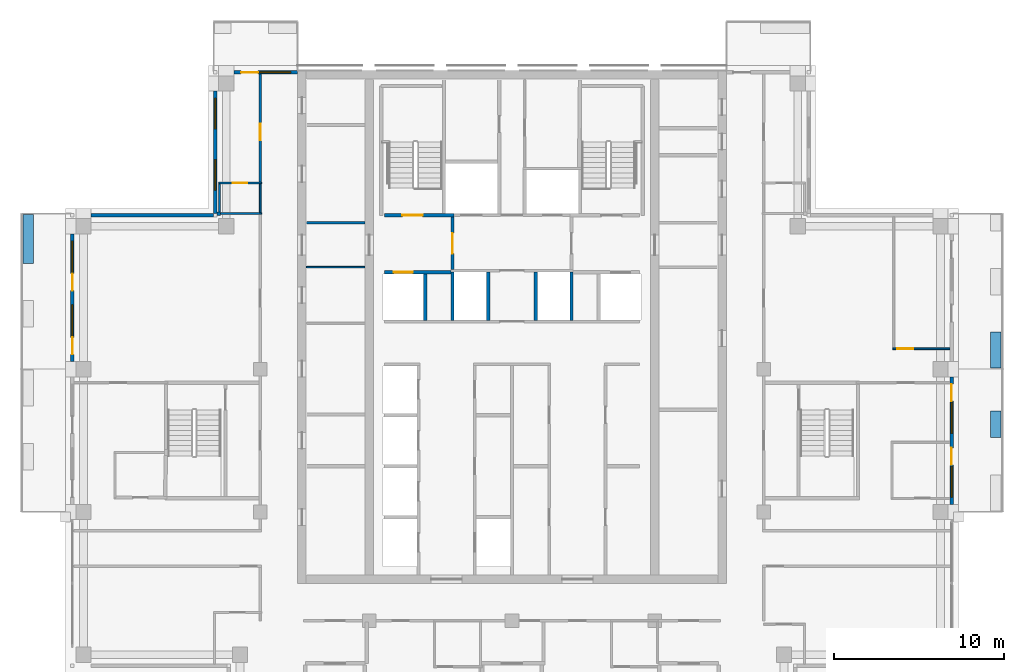
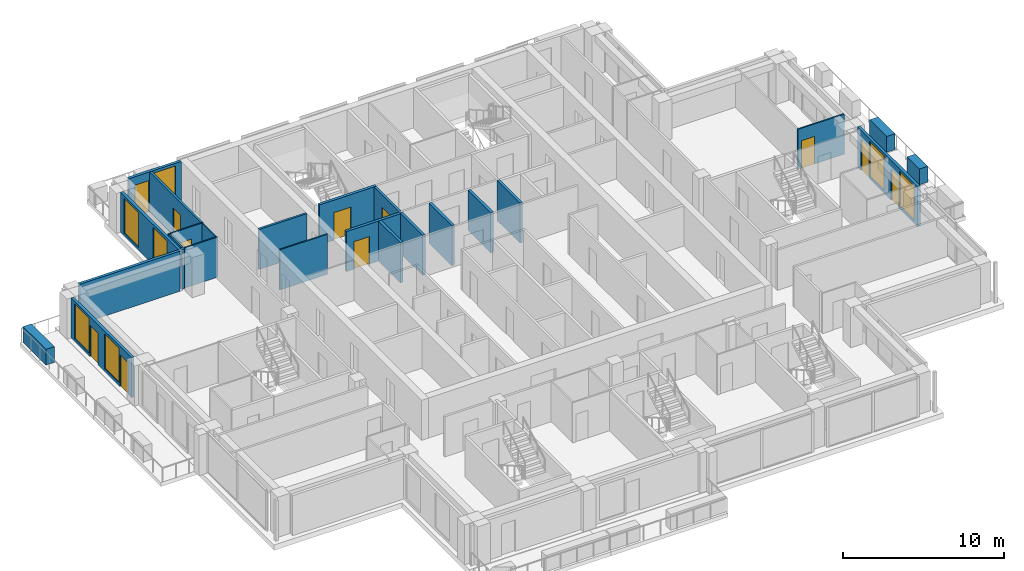
# One storey, part 10 of 16: 25 walls, 11 doors, 7 windows, 18 openings.
"""IFC4 building model written with IfcOpenShell, lengths in metres."""

from ifc_helpers import new_model, si_unit, direction, frame, frame_2d, origin, place, context, subcontext, project, spatial, rectangle, extrude, material, layer, layer_set, type_object, element, fill, save


model = new_model("IFC4")

# Units and contexts
model_context = context("Model", 3, precision=1e-05, world=origin(), true_north=direction((0.0, 1.0)))
body_context = subcontext(model_context, "Body", "Model", "MODEL_VIEW")
ifc_project = project(units=[si_unit("LENGTHUNIT", "METRE"), si_unit("AREAUNIT", "SQUARE_METRE"), si_unit("VOLUMEUNIT", "CUBIC_METRE"), si_unit("PLANEANGLEUNIT", "RADIAN"), si_unit("MASSUNIT", "GRAM", prefix="KILO")], contexts=[model_context])

# Site, building, storey
site_placement = place(None, origin())
site = spatial("IfcSite", under=ifc_project, at=site_placement, CompositionType="ELEMENT")
building_placement = place(site_placement, origin())
building = spatial("IfcBuilding", under=site, at=building_placement, Name="Vermilion Ogive Tower", CompositionType="ELEMENT")
storey_placement = place(building_placement, frame((0.0, 0.0, 251.050048828125)))
storey = spatial("IfcBuildingStorey", under=building, at=storey_placement, Name="L66", CompositionType="ELEMENT", Elevation=251.050048828125)

# Wall
ifc_material_1 = material(Name="Gypsum board partition on steel studs", Category="steel")
ifc_layer_1 = layer(ifc_material_1, 0.10009765625)
ifc_layer_set_1 = layer_set([ifc_layer_1], Name="Partition 100 bath")
wall_type_1 = type_object("IfcWallType", Name="Partition 100 bath", PredefinedType="PARTITIONING", material=ifc_layer_set_1)
wall_1_placement = place(storey_placement, frame((-17.25, 13.35009765625, 0.0), z_axis=(0.0, 0.0, 1.0), x_axis=(1.0, 0.0, 0.0)))
element("IfcWall", 1, at=wall_1_placement, inside=storey, type_object=wall_type_1, Name="L66-W-W030", PredefinedType="PARTITIONING", context=body_context, shape_type="SweptSolid", body=[
    extrude(rectangle(XDim=2.52490234375, YDim=0.10009765625, at=frame_2d((1.262451171875, 0.0))), origin(), (0.0, 0.0, 1.0), 3.050048828125),
])

# Wall, opening, door
wall_2_placement = place(storey_placement, frame((-17.25, 15.14990234375, 0.0), z_axis=(0.0, 0.0, 1.0), x_axis=(1.0, 0.0, 0.0)))
wall_2 = element("IfcWall", 2, at=wall_2_placement, inside=storey, type_object=wall_type_1, Name="L66-W-W033", PredefinedType="PARTITIONING", context=body_context, shape_type="SweptSolid", body=[
    extrude(rectangle(XDim=2.52490234375, YDim=0.10009765625, at=frame_2d((1.262451171875, 0.0))), origin(), (0.0, 0.0, 1.0), 3.050048828125),
])
opening_1_placement = place(wall_2_placement, frame((0.824951171875, 0.0, 0.0)))
opening_1 = element("IfcOpeningElement", 3, at=opening_1_placement, cuts=wall_2, Name="Opening D5G4007", PredefinedType="OPENING", context=body_context, shape_type="SweptSolid", body=[
    extrude(rectangle(XDim=0.85009765625, YDim=2.10009765625, at=frame_2d((0.425048828125, 1.050048828125))), frame((0.0, 0.06005859375, 0.0), z_axis=(0.0, -1.0, 0.0), x_axis=(1.0, 0.0, 0.0)), (0.0, 0.0, 1.0), 0.1201171875),
])
ifc_material_2 = material(Name="Timber door leaf", Category="wood")
door_type_1 = type_object("IfcDoorType", Name="Bath door 850 x 2100 FD30", OperationType="SINGLE_SWING_LEFT", PredefinedType="DOOR", material=ifc_material_2)
door_1_placement = place(opening_1_placement, origin())
door_1 = element("IfcDoor", 4, at=door_1_placement, inside=storey, type_object=door_type_1, Name="L66-D-D007", OperationType="SINGLE_SWING_RIGHT", OverallHeight=2.10009765625, OverallWidth=0.85009765625, PredefinedType="DOOR", context=body_context, shape_type="SweptSolid", body=[
    extrude(rectangle(XDim=0.85009765625, YDim=2.10009765625, at=frame_2d((0.425048828125, 1.050048828125))), frame((0.0, 0.02490234375, 0.0), z_axis=(0.0, -1.0, 0.0), x_axis=(1.0, 0.0, 0.0)), (0.0, 0.0, 1.0), 0.050048828125),
])
fill(opening_1, door_1)

# Walls
wall_3_placement = place(storey_placement, frame((-17.199951171875, 13.449951171875, 0.0), z_axis=(0.0, 0.0, 1.0), x_axis=(0.0, 1.0, 0.0)))
element("IfcWall", 5, at=wall_3_placement, inside=storey, type_object=wall_type_1, Name="L66-W-W039", PredefinedType="PARTITIONING", context=body_context, shape_type="SweptSolid", body=[
    extrude(rectangle(XDim=1.650146484375, YDim=0.10009765625, at=frame_2d((0.8251953125, 0.0))), origin(), (0.0, 0.0, 1.0), 3.050048828125),
])
wall_4_placement = place(storey_placement, frame((-14.800048828125, 13.39990234375, 0.0), z_axis=(0.0, 0.0, 1.0), x_axis=(0.0, 1.0, 0.0)))
element("IfcWall", 6, at=wall_4_placement, inside=storey, type_object=wall_type_1, Name="L66-W-W044", PredefinedType="PARTITIONING", context=body_context, shape_type="SweptSolid", body=[
    extrude(rectangle(XDim=1.7001953125, YDim=0.10009765625, at=frame_2d((0.85009765625, 0.0))), origin(), (0.0, 0.0, 1.0), 3.050048828125),
])
wall_5_placement = place(storey_placement, frame((-12.09912109375, 10.199951171875, 0.0), z_axis=(0.0, 0.0, 1.0), x_axis=(1.0, 0.0, 0.0)))
element("IfcWall", 7, at=wall_5_placement, inside=storey, type_object=wall_type_1, Name="L66-CKW-W-W004", PredefinedType="PARTITIONING", context=body_context, shape_type="SweptSolid", body=[
    extrude(rectangle(XDim=3.4482421875, YDim=0.10009765625, at=frame_2d((1.72412109375, 0.0))), origin(), (0.0, 0.0, 1.0), 3.050048828125),
])

# Wall, opening, door
ifc_material_3 = material(Name="Gypsum board partition on steel studs", Category="steel")
ifc_layer_2 = layer(ifc_material_3, 0.10009765625)
ifc_layer_set_2 = layer_set([ifc_layer_2], Name="Partition 100 inner")
wall_type_2 = type_object("IfcWallType", Name="Partition 100 inner", PredefinedType="PARTITIONING", material=ifc_layer_set_2)
wall_6_placement = place(storey_placement, frame((22.39990234375, 5.39990234375, 0.0), z_axis=(0.0, 0.0, 1.0), x_axis=(1.0, 0.0, 0.0)))
wall_6 = element("IfcWall", 8, at=wall_6_placement, inside=storey, type_object=wall_type_2, Name="L66-W-W028", PredefinedType="PARTITIONING", context=body_context, shape_type="SweptSolid", body=[
    extrude(rectangle(XDim=3.35009765625, YDim=0.10009765625, at=frame_2d((1.675048828125, 0.0))), origin(), (0.0, 0.0, 1.0), 3.050048828125),
])
opening_2_placement = place(wall_6_placement, frame((0.25, 0.0, 0.0)))
opening_2 = element("IfcOpeningElement", 9, at=opening_2_placement, cuts=wall_6, Name="Opening D5G4014", PredefinedType="OPENING", context=body_context, shape_type="SweptSolid", body=[
    extrude(rectangle(XDim=0.949951171875, YDim=2.10009765625, at=frame_2d((0.47509765625, 1.050048828125))), frame((0.0, 0.06005859375, 0.0), z_axis=(0.0, -1.0, 0.0), x_axis=(1.0, 0.0, 0.0)), (0.0, 0.0, 1.0), 0.1201171875),
])
ifc_material_4 = material(Name="Timber door leaf", Category="wood")
door_type_2 = type_object("IfcDoorType", Name="Inner door 950 x 2100 FD30", OperationType="SINGLE_SWING_LEFT", PredefinedType="DOOR", material=ifc_material_4)
door_2_placement = place(opening_2_placement, origin())
door_2 = element("IfcDoor", 10, at=door_2_placement, inside=storey, type_object=door_type_2, Name="L66-D-D014", OperationType="SINGLE_SWING_LEFT", OverallHeight=2.10009765625, OverallWidth=0.949951171875, PredefinedType="DOOR", context=body_context, shape_type="SweptSolid", body=[
    extrude(rectangle(XDim=0.949951171875, YDim=2.10009765625, at=frame_2d((0.47509765625, 1.050048828125))), frame((0.0, 0.02490234375, 0.0), z_axis=(0.0, -1.0, 0.0), x_axis=(1.0, 0.0, 0.0)), (0.0, 0.0, 1.0), 0.050048828125),
])
fill(opening_2, door_2)

ifc_material_5 = material(Name="Gypsum board partition on steel studs", Category="steel")
ifc_layer_3 = layer(ifc_material_5, 0.14990234375)
ifc_layer_set_3 = layer_set([ifc_layer_3], Name="Partition 150 corridor")
wall_type_3 = type_object("IfcWallType", Name="Partition 150 corridor", PredefinedType="PARTITIONING", material=ifc_layer_set_3)
wall_7_placement = place(storey_placement, frame((-14.800048828125, 15.199951171875, 0.0), z_axis=(0.0, 0.0, 1.0), x_axis=(0.0, 1.0, 0.0)))
wall_7 = element("IfcWall", 11, at=wall_7_placement, inside=storey, type_object=wall_type_3, Name="L66-W-W045", PredefinedType="PARTITIONING", context=body_context, shape_type="SweptSolid", body=[
    extrude(rectangle(XDim=6.35009765625, YDim=0.14990234375, at=frame_2d((3.175048828125, 0.0))), origin(), (0.0, 0.0, 1.0), 3.050048828125),
])
opening_3_placement = place(wall_7_placement, frame((2.47509765625, 0.0, 0.0)))
opening_3 = element("IfcOpeningElement", 12, at=opening_3_placement, cuts=wall_7, Name="Opening D5G4006", PredefinedType="OPENING", context=body_context, shape_type="SweptSolid", body=[
    extrude(rectangle(XDim=0.949951171875, YDim=2.10009765625, at=frame_2d((0.47509765625, 1.050048828125))), frame((0.0, 0.0849609375, 0.0), z_axis=(0.0, -1.0, 0.0), x_axis=(1.0, 0.0, 0.0)), (0.0, 0.0, 1.0), 0.169921875),
])
ifc_material_6 = material(Name="Timber door leaf", Category="wood")
door_type_3 = type_object("IfcDoorType", Name="Unit door 950 x 2100 FD30S", OperationType="SINGLE_SWING_LEFT", PredefinedType="DOOR", material=ifc_material_6)
door_3_placement = place(opening_3_placement, origin())
door_3 = element("IfcDoor", 13, at=door_3_placement, inside=storey, type_object=door_type_3, Name="L66-D-D006", OperationType="SINGLE_SWING_RIGHT", OverallHeight=2.10009765625, OverallWidth=0.949951171875, PredefinedType="DOOR", context=body_context, shape_type="SweptSolid", body=[
    extrude(rectangle(XDim=0.949951171875, YDim=2.10009765625, at=frame_2d((0.47509765625, 1.050048828125))), frame((0.0, 0.02490234375, 0.0), z_axis=(0.0, -1.0, 0.0), x_axis=(1.0, 0.0, 0.0)), (0.0, 0.0, 1.0), 0.050048828125),
])
fill(opening_3, door_3)

wall_8_placement = place(storey_placement, frame((-3.5, 10.074951171875, 0.0), z_axis=(0.0, 0.0, 1.0), x_axis=(0.0, 1.0, 0.0)))
wall_8 = element("IfcWall", 14, at=wall_8_placement, inside=storey, type_object=wall_type_3, Name="L66-CK-W-W024", PredefinedType="PARTITIONING", context=body_context, shape_type="SweptSolid", body=[
    extrude(rectangle(XDim=3.074951171875, YDim=0.14990234375, at=frame_2d((1.53759765625, 0.0))), origin(), (0.0, 0.0, 1.0), 3.050048828125),
])
opening_4_placement = place(wall_8_placement, frame((0.925048828125, 0.0, 0.0)))
opening_4 = element("IfcOpeningElement", 15, at=opening_4_placement, cuts=wall_8, Name="Opening DAA609", PredefinedType="OPENING", context=body_context, shape_type="SweptSolid", body=[
    extrude(rectangle(XDim=1.199951171875, YDim=2.10009765625, at=frame_2d((0.60009765625, 1.050048828125))), frame((0.0, 0.0849609375, 0.0), z_axis=(0.0, -1.0, 0.0), x_axis=(1.0, 0.0, 0.0)), (0.0, 0.0, 1.0), 0.169921875),
])
ifc_material_7 = material(Name="Timber door leaf", Category="wood")
door_type_4 = type_object("IfcDoorType", Name="Lobby door 1200 x 2100 FD60S", OperationType="SINGLE_SWING_LEFT", PredefinedType="DOOR", material=ifc_material_7)
door_4_placement = place(opening_4_placement, origin())
door_4 = element("IfcDoor", 16, at=door_4_placement, inside=storey, type_object=door_type_4, Name="L66-CK-D-D023", OperationType="SINGLE_SWING_RIGHT", OverallHeight=2.10009765625, OverallWidth=1.199951171875, PredefinedType="DOOR", context=body_context, shape_type="SweptSolid", body=[
    extrude(rectangle(XDim=1.199951171875, YDim=2.10009765625, at=frame_2d((0.60009765625, 1.050048828125))), frame((0.0, 0.02490234375, 0.0), z_axis=(0.0, -1.0, 0.0), x_axis=(1.0, 0.0, 0.0)), (0.0, 0.0, 1.0), 0.050048828125),
])
fill(opening_4, door_4)

# Walls
wall_9_placement = place(storey_placement, frame((-12.09912109375, 12.800048828125, 0.0), z_axis=(0.0, 0.0, 1.0), x_axis=(1.0, 0.0, 0.0)))
element("IfcWall", 17, at=wall_9_placement, inside=storey, type_object=wall_type_3, Name="L66-CKW-W-W005", PredefinedType="PARTITIONING", context=body_context, shape_type="SweptSolid", body=[
    extrude(rectangle(XDim=3.4482421875, YDim=0.14990234375, at=frame_2d((1.72412109375, 0.0))), origin(), (0.0, 0.0, 1.0), 3.050048828125),
])
ifc_material_8 = material(Name="Gypsum board partition on steel studs", Category="steel")
ifc_layer_4 = layer(ifc_material_8, 0.199951171875)
ifc_layer_set_4 = layer_set([ifc_layer_4], Name="Partition 200 party")
wall_type_4 = type_object("IfcWallType", Name="Partition 200 party", PredefinedType="PARTITIONING", material=ifc_layer_set_4)
wall_10_placement = place(storey_placement, frame((-17.35009765625, 13.35009765625, 0.0), z_axis=(0.0, 0.0, 1.0), x_axis=(1.0, 0.0, 0.0)))
element("IfcWall", 18, at=wall_10_placement, inside=storey, type_object=wall_type_4, Name="L66-W-W029", PredefinedType="PARTITIONING", context=body_context, shape_type="SweptSolid", body=[
    extrude(rectangle(XDim=0.2001953125, YDim=0.199951171875, at=frame_2d((0.10009765625, 0.0))), origin(), (0.0, 0.0, 1.0), 3.050048828125),
])

# Wall, opening, door
wall_11_placement = place(storey_placement, frame((-7.5, 9.89990234375, 0.0), z_axis=(0.0, 0.0, 1.0), x_axis=(1.0, 0.0, 0.0)))
wall_11 = element("IfcWall", 19, at=wall_11_placement, inside=storey, type_object=wall_type_4, Name="L66-CK-W-W012", PredefinedType="PARTITIONING", context=body_context, shape_type="SweptSolid", body=[
    extrude(rectangle(XDim=3.89990234375, YDim=0.199951171875, at=frame_2d((1.949951171875, 0.0))), origin(), (0.0, 0.0, 1.0), 3.050048828125),
])
opening_5_placement = place(wall_11_placement, frame((0.550048828125, 0.0, 0.0)))
opening_5 = element("IfcOpeningElement", 20, at=opening_5_placement, cuts=wall_11, Name="Opening DAA629", PredefinedType="OPENING", context=body_context, shape_type="SweptSolid", body=[
    extrude(rectangle(XDim=1.10009765625, YDim=2.10009765625, at=frame_2d((0.550048828125, 1.050048828125))), frame((0.0, 0.10986328125, 0.0), z_axis=(0.0, -1.0, 0.0), x_axis=(1.0, 0.0, 0.0)), (0.0, 0.0, 1.0), 0.219970703125),
])
ifc_material_9 = material(Name="Stainless steel", Category="steel")
door_type_5 = type_object("IfcDoorType", Name="Lift landing door 1100 x 2100", OperationType="SLIDING_TO_LEFT", PredefinedType="DOOR", material=ifc_material_9)
door_5_placement = place(opening_5_placement, origin())
door_5 = element("IfcDoor", 21, at=door_5_placement, inside=storey, type_object=door_type_5, Name="L66-CK-D-D013", OperationType="SLIDING_TO_RIGHT", OverallHeight=2.10009765625, OverallWidth=1.10009765625, PredefinedType="DOOR", context=body_context, shape_type="SweptSolid", body=[
    extrude(rectangle(XDim=1.10009765625, YDim=2.10009765625, at=frame_2d((0.550048828125, 1.050048828125))), frame((0.0, 0.02490234375, 0.0), z_axis=(0.0, -1.0, 0.0), x_axis=(1.0, 0.0, 0.0)), (0.0, 0.0, 1.0), 0.050048828125),
])
fill(opening_5, door_5)

# Walls
wall_12_placement = place(storey_placement, frame((-5.10009765625, 7.074951171875, 0.0), z_axis=(0.0, 0.0, 1.0), x_axis=(0.0, 1.0, 0.0)))
element("IfcWall", 22, at=wall_12_placement, inside=storey, type_object=wall_type_4, Name="L66-CK-W-W021", PredefinedType="PARTITIONING", context=body_context, shape_type="SweptSolid", body=[
    extrude(rectangle(XDim=2.72509765625, YDim=0.199951171875, at=frame_2d((1.362548828125, 0.0))), origin(), (0.0, 0.0, 1.0), 3.050048828125),
])
for number, where, z_axis, x_axis, name in (
    (23, (-3.5, 7.074951171875, 0.0), (0.0, 0.0, 1.0), (0.0, 1.0, 0.0), "L66-CK-W-W023"),
    (24, (-1.39990234375, 7.074951171875, 0.0), (0.0, 0.0, 1.0), (0.0, 1.0, 0.0), "L66-CK-W-W026"),
    (25, (1.39990234375, 7.074951171875, 0.0), (0.0, 0.0, 1.0), (0.0, 1.0, 0.0), "L66-CK-W-W031"),
    (26, (3.5, 7.074951171875, 0.0), (0.0, 0.0, 1.0), (0.0, 1.0, 0.0), "L66-CK-W-W033"),
):
    element("IfcWall", number, at=place(storey_placement, frame(where, z_axis=z_axis, x_axis=x_axis)), inside=storey, type_object=wall_type_4, Name=name, PredefinedType="PARTITIONING", context=body_context, shape_type="SweptSolid", body=[
        extrude(rectangle(XDim=2.85009765625, YDim=0.199951171875, at=frame_2d((1.425048828125, 0.0))), origin(), (0.0, 0.0, 1.0), 3.050048828125),
    ])

# Wall, opening, door
ifc_material_10 = material(Name="Concrete B60", Category="concrete")
ifc_layer_5 = layer(ifc_material_10, 0.199951171875)
ifc_layer_set_5 = layer_set([ifc_layer_5], Name="Stair shaft wall 200 Concrete B60")
wall_type_5 = type_object("IfcWallType", Name="Stair shaft wall 200 Concrete B60", PredefinedType="SOLIDWALL", material=ifc_layer_set_5)
wall_13_placement = place(storey_placement, frame((-7.5, 13.25, 0.0), z_axis=(0.0, 0.0, 1.0), x_axis=(1.0, 0.0, 0.0)))
wall_13 = element("IfcWall", 27, at=wall_13_placement, inside=storey, type_object=wall_type_5, Name="L66-CK-W-W015", PredefinedType="SOLIDWALL", context=body_context, shape_type="SweptSolid", body=[
    extrude(rectangle(XDim=4.074951171875, YDim=0.199951171875, at=frame_2d((2.03759765625, 0.0))), origin(), (0.0, 0.0, 1.0), 3.050048828125),
])
opening_6_placement = place(wall_13_placement, frame((1.050048828125, 0.0, 0.0)))
opening_6 = element("IfcOpeningElement", 28, at=opening_6_placement, cuts=wall_13, Name="Opening DAA622", PredefinedType="OPENING", context=body_context, shape_type="SweptSolid", body=[
    extrude(rectangle(XDim=1.199951171875, YDim=2.10009765625, at=frame_2d((0.60009765625, 1.050048828125))), frame((0.0, 0.10986328125, 0.0), z_axis=(0.0, -1.0, 0.0), x_axis=(1.0, 0.0, 0.0)), (0.0, 0.0, 1.0), 0.219970703125),
])
ifc_material_11 = material(Name="Timber door leaf", Category="wood")
door_type_6 = type_object("IfcDoorType", Name="Stair door 1200 x 2100 FD60S", OperationType="SINGLE_SWING_LEFT", PredefinedType="DOOR", material=ifc_material_11)
door_6_placement = place(opening_6_placement, origin())
door_6 = element("IfcDoor", 29, at=door_6_placement, inside=storey, type_object=door_type_6, Name="L66-CK-D-D012", OperationType="SINGLE_SWING_LEFT", OverallHeight=2.10009765625, OverallWidth=1.199951171875, PredefinedType="DOOR", context=body_context, shape_type="SweptSolid", body=[
    extrude(rectangle(XDim=1.199951171875, YDim=2.10009765625, at=frame_2d((0.60009765625, 1.050048828125))), frame((0.0, 0.02490234375, 0.0), z_axis=(0.0, -1.0, 0.0), x_axis=(1.0, 0.0, 0.0)), (0.0, 0.0, 1.0), 0.050048828125),
])
fill(opening_6, door_6)

# Walls
ifc_material_12 = material(Name="Concrete B40", Category="concrete")
ifc_layer_6 = layer(ifc_material_12, 0.60009765625)
ifc_layer_set_6 = layer_set([ifc_layer_6], Name="Structural planter")
wall_type_6 = type_object("IfcWallType", Name="Structural planter", PredefinedType="USERDEFINED", material=ifc_layer_set_6)
wall_14_placement = place(storey_placement, frame((28.45361328125, 0.175048828125, -0.0400390625), z_axis=(0.0, 0.0, 1.0), x_axis=(0.0, 1.0, 0.0)))
element("IfcWall", 30, at=wall_14_placement, inside=storey, type_object=wall_type_6, Name="Planter E02A2", ObjectType="PLANTER", PredefinedType="USERDEFINED", context=body_context, shape_type="SweptSolid", body=[
    extrude(rectangle(XDim=1.550048828125, YDim=0.60009765625, at=frame_2d((0.77490234375, 0.0))), origin(), (0.0, 0.0, 1.0), 1.199951171875),
])
wall_15_placement = place(storey_placement, frame((28.45361328125, 4.260009765625, -0.0400390625), z_axis=(0.0, 0.0, 1.0), x_axis=(0.0, 1.0, 0.0)))
element("IfcWall", 31, at=wall_15_placement, inside=storey, type_object=wall_type_6, Name="Planter E03A1", ObjectType="PLANTER", PredefinedType="USERDEFINED", context=body_context, shape_type="SweptSolid", body=[
    extrude(rectangle(XDim=2.114990234375, YDim=0.60009765625, at=frame_2d((1.0576171875, 0.0))), origin(), (0.0, 0.0, 1.0), 1.199951171875),
])
wall_16_placement = place(storey_placement, frame((-28.45361328125, 13.2900390625, -0.0400390625), z_axis=(0.0, 0.0, 1.0), x_axis=(0.0, -1.0, 0.0)))
element("IfcWall", 32, at=wall_16_placement, inside=storey, type_object=wall_type_6, Name="Planter W01A1", ObjectType="PLANTER", PredefinedType="USERDEFINED", context=body_context, shape_type="SweptSolid", body=[
    extrude(rectangle(XDim=2.864990234375, YDim=0.60009765625, at=frame_2d((1.4326171875, 0.0))), origin(), (0.0, 0.0, 1.0), 1.199951171875),
])

# Wall, openings, doors, windows
ifc_material_13 = material(Name="Aluminium window wall framing", Category="aluminium")
ifc_layer_7 = layer(ifc_material_13, 0.199951171875)
ifc_layer_set_7 = layer_set([ifc_layer_7], Name="Window wall")
wall_type_7 = type_object("IfcWallType", Name="Window wall", PredefinedType="STANDARD", material=ifc_layer_set_7)
wall_17_placement = place(storey_placement, frame((25.85009765625, -3.75, 0.0), z_axis=(0.0, 0.0, 1.0), x_axis=(0.0, 1.0, 0.0)))
wall_17 = element("IfcWall", 33, at=wall_17_placement, inside=storey, type_object=wall_type_7, Name="Window wall E2", PredefinedType="STANDARD", context=body_context, shape_type="SweptSolid", body=[
    extrude(rectangle(XDim=7.5, YDim=0.199951171875, at=frame_2d((3.75, 0.0))), origin(), (0.0, 0.0, 1.0), 3.050048828125),
])
opening_7_placement = place(wall_17_placement, frame((0.425048828125, 0.0, 0.199951171875)))
opening_7 = element("IfcOpeningElement", 34, at=opening_7_placement, cuts=wall_17, Name="Opening W1-E99", PredefinedType="OPENING", context=body_context, shape_type="SweptSolid", body=[
    extrude(rectangle(XDim=1.800048828125, YDim=2.64990234375, at=frame_2d((0.89990234375, 1.324951171875))), frame((0.0, 0.10986328125, 0.0), z_axis=(0.0, -1.0, 0.0), x_axis=(1.0, 0.0, 0.0)), (0.0, 0.0, 1.0), 0.219970703125),
])
opening_8_placement = place(wall_17_placement, frame((2.324951171875, 0.0, 0.0)))
opening_8 = element("IfcOpeningElement", 35, at=opening_8_placement, cuts=wall_17, Name="Opening D1-E99", PredefinedType="OPENING", context=body_context, shape_type="SweptSolid", body=[
    extrude(rectangle(XDim=1.0, YDim=2.39990234375, at=frame_2d((0.5, 1.199951171875))), frame((0.0, 0.10986328125, 0.0), z_axis=(0.0, -1.0, 0.0), x_axis=(1.0, 0.0, 0.0)), (0.0, 0.0, 1.0), 0.219970703125),
])
opening_9_placement = place(wall_17_placement, frame((4.175048828125, 0.0, 0.199951171875)))
opening_9 = element("IfcOpeningElement", 36, at=opening_9_placement, cuts=wall_17, Name="Opening W1-E00", PredefinedType="OPENING", context=body_context, shape_type="SweptSolid", body=[
    extrude(rectangle(XDim=1.800048828125, YDim=2.64990234375, at=frame_2d((0.89990234375, 1.324951171875))), frame((0.0, 0.10986328125, 0.0), z_axis=(0.0, -1.0, 0.0), x_axis=(1.0, 0.0, 0.0)), (0.0, 0.0, 1.0), 0.219970703125),
])
opening_10_placement = place(wall_17_placement, frame((6.074951171875, 0.0, 0.0)))
opening_10 = element("IfcOpeningElement", 37, at=opening_10_placement, cuts=wall_17, Name="Opening D1-E00", PredefinedType="OPENING", context=body_context, shape_type="SweptSolid", body=[
    extrude(rectangle(XDim=1.0, YDim=2.39990234375, at=frame_2d((0.5, 1.199951171875))), frame((0.0, 0.10986328125, 0.0), z_axis=(0.0, -1.0, 0.0), x_axis=(1.0, 0.0, 0.0)), (0.0, 0.0, 1.0), 0.219970703125),
])
ifc_material_14 = material(Name="Aluminium framed glazed door", Category="aluminium")
door_type_7 = type_object("IfcDoorType", Name="Balcony door D1", OperationType="SINGLE_SWING_LEFT", PredefinedType="DOOR", material=ifc_material_14)
door_7_placement = place(opening_8_placement, origin())
door_7 = element("IfcDoor", 38, at=door_7_placement, inside=storey, type_object=door_type_7, Name="Balcony door E99", OperationType="SINGLE_SWING_LEFT", OverallHeight=2.39990234375, OverallWidth=1.0, PredefinedType="DOOR", context=body_context, shape_type="SweptSolid", body=[
    extrude(rectangle(XDim=1.0, YDim=2.39990234375, at=frame_2d((0.5, 1.199951171875))), frame((0.0, 0.02490234375, 0.0), z_axis=(0.0, -1.0, 0.0), x_axis=(1.0, 0.0, 0.0)), (0.0, 0.0, 1.0), 0.050048828125),
])
fill(opening_8, door_7)
door_8_placement = place(opening_10_placement, origin())
door_8 = element("IfcDoor", 39, at=door_8_placement, inside=storey, type_object=door_type_7, Name="Balcony door E00", OperationType="SINGLE_SWING_LEFT", OverallHeight=2.39990234375, OverallWidth=1.0, PredefinedType="DOOR", context=body_context, shape_type="SweptSolid", body=[
    extrude(rectangle(XDim=1.0, YDim=2.39990234375, at=frame_2d((0.5, 1.199951171875))), frame((0.0, 0.02490234375, 0.0), z_axis=(0.0, -1.0, 0.0), x_axis=(1.0, 0.0, 0.0)), (0.0, 0.0, 1.0), 0.050048828125),
])
fill(opening_10, door_8)
ifc_material_15 = material(Name="Aluminium framed double glazing", Category="aluminium")
window_type = type_object("IfcWindowType", Name="Guest window W1", PartitioningType="SINGLE_PANEL", PredefinedType="WINDOW", material=ifc_material_15)
window_1_placement = place(opening_7_placement, origin())
window_1 = element("IfcWindow", 40, at=window_1_placement, inside=storey, type_object=window_type, Name="Window E99", OverallHeight=2.64990234375, OverallWidth=1.800048828125, PartitioningType="SINGLE_PANEL", PredefinedType="WINDOW", context=body_context, shape_type="SweptSolid", body=[
    extrude(rectangle(XDim=1.800048828125, YDim=2.64990234375, at=frame_2d((0.89990234375, 1.324951171875))), frame((0.0, 0.030029296875, 0.0), z_axis=(0.0, -1.0, 0.0), x_axis=(1.0, 0.0, 0.0)), (0.0, 0.0, 1.0), 0.06005859375),
])
fill(opening_7, window_1)
window_2_placement = place(opening_9_placement, origin())
window_2 = element("IfcWindow", 41, at=window_2_placement, inside=storey, type_object=window_type, Name="Window E00", OverallHeight=2.64990234375, OverallWidth=1.800048828125, PartitioningType="SINGLE_PANEL", PredefinedType="WINDOW", context=body_context, shape_type="SweptSolid", body=[
    extrude(rectangle(XDim=1.800048828125, YDim=2.64990234375, at=frame_2d((0.89990234375, 1.324951171875))), frame((0.0, 0.030029296875, 0.0), z_axis=(0.0, -1.0, 0.0), x_axis=(1.0, 0.0, 0.0)), (0.0, 0.0, 1.0), 0.06005859375),
])
fill(opening_9, window_2)

# Wall, openings, door, window
wall_18_placement = place(storey_placement, frame((-12.60009765625, 21.64990234375, 0.0), z_axis=(0.0, 0.0, 1.0), x_axis=(-1.0, 0.0, 0.0)))
wall_18 = element("IfcWall", 42, at=wall_18_placement, inside=storey, type_object=wall_type_7, Name="Window wall N21", PredefinedType="STANDARD", context=body_context, shape_type="SweptSolid", body=[
    extrude(rectangle(XDim=3.75, YDim=0.199951171875, at=frame_2d((1.875, 0.0))), origin(), (0.0, 0.0, 1.0), 3.050048828125),
])
opening_11_placement = place(wall_18_placement, frame((0.425048828125, 0.0, 0.199951171875)))
opening_11 = element("IfcOpeningElement", 43, at=opening_11_placement, cuts=wall_18, Name="Opening W1-N296", PredefinedType="OPENING", context=body_context, shape_type="SweptSolid", body=[
    extrude(rectangle(XDim=1.800048828125, YDim=2.64990234375, at=frame_2d((0.89990234375, 1.324951171875))), frame((0.0, 0.10986328125, 0.0), z_axis=(0.0, -1.0, 0.0), x_axis=(1.0, 0.0, 0.0)), (0.0, 0.0, 1.0), 0.219970703125),
])
opening_12_placement = place(wall_18_placement, frame((2.324951171875, 0.0, 0.0)))
opening_12 = element("IfcOpeningElement", 44, at=opening_12_placement, cuts=wall_18, Name="Opening D1-N296", PredefinedType="OPENING", context=body_context, shape_type="SweptSolid", body=[
    extrude(rectangle(XDim=1.0, YDim=2.39990234375, at=frame_2d((0.5, 1.199951171875))), frame((0.0, 0.10986328125, 0.0), z_axis=(0.0, -1.0, 0.0), x_axis=(1.0, 0.0, 0.0)), (0.0, 0.0, 1.0), 0.219970703125),
])
door_9_placement = place(opening_12_placement, origin())
door_9 = element("IfcDoor", 45, at=door_9_placement, inside=storey, type_object=door_type_7, Name="Balcony door N296", OperationType="SINGLE_SWING_LEFT", OverallHeight=2.39990234375, OverallWidth=1.0, PredefinedType="DOOR", context=body_context, shape_type="SweptSolid", body=[
    extrude(rectangle(XDim=1.0, YDim=2.39990234375, at=frame_2d((0.5, 1.199951171875))), frame((0.0, 0.02490234375, 0.0), z_axis=(0.0, -1.0, 0.0), x_axis=(1.0, 0.0, 0.0)), (0.0, 0.0, 1.0), 0.050048828125),
])
fill(opening_12, door_9)
window_3_placement = place(opening_11_placement, origin())
window_3 = element("IfcWindow", 46, at=window_3_placement, inside=storey, type_object=window_type, Name="Window N296", OverallHeight=2.64990234375, OverallWidth=1.800048828125, PartitioningType="SINGLE_PANEL", PredefinedType="WINDOW", context=body_context, shape_type="SweptSolid", body=[
    extrude(rectangle(XDim=1.800048828125, YDim=2.64990234375, at=frame_2d((0.89990234375, 1.324951171875))), frame((0.0, 0.030029296875, 0.0), z_axis=(0.0, -1.0, 0.0), x_axis=(1.0, 0.0, 0.0)), (0.0, 0.0, 1.0), 0.06005859375),
])
fill(opening_11, window_3)

# Wall, openings, windows
wall_19_placement = place(storey_placement, frame((-17.449951171875, 20.550048828125, 0.0), z_axis=(0.0, 0.0, 1.0), x_axis=(0.0, -1.0, 0.0)))
wall_19 = element("IfcWall", 47, at=wall_19_placement, inside=storey, type_object=wall_type_7, Name="Window wall X51", PredefinedType="STANDARD", context=body_context, shape_type="SweptSolid", body=[
    extrude(rectangle(XDim=7.199951171875, YDim=0.199951171875, at=frame_2d((3.60009765625, 0.0))), origin(), (0.0, 0.0, 1.0), 3.050048828125),
])
opening_13_placement = place(wall_19_placement, frame((4.02490234375, 0.0, 0.199951171875)))
opening_13 = element("IfcOpeningElement", 48, at=opening_13_placement, cuts=wall_19, Name="Opening W1-X503", PredefinedType="OPENING", context=body_context, shape_type="SweptSolid", body=[
    extrude(rectangle(XDim=1.800048828125, YDim=2.64990234375, at=frame_2d((0.89990234375, 1.324951171875))), frame((0.0, 0.10986328125, 0.0), z_axis=(0.0, -1.0, 0.0), x_axis=(1.0, 0.0, 0.0)), (0.0, 0.0, 1.0), 0.219970703125),
])
opening_14_placement = place(wall_19_placement, frame((0.425048828125, 0.0, 0.199951171875)))
opening_14 = element("IfcOpeningElement", 49, at=opening_14_placement, cuts=wall_19, Name="Opening W1-X504", PredefinedType="OPENING", context=body_context, shape_type="SweptSolid", body=[
    extrude(rectangle(XDim=1.800048828125, YDim=2.64990234375, at=frame_2d((0.89990234375, 1.324951171875))), frame((0.0, 0.10986328125, 0.0), z_axis=(0.0, -1.0, 0.0), x_axis=(1.0, 0.0, 0.0)), (0.0, 0.0, 1.0), 0.219970703125),
])
window_4_placement = place(opening_13_placement, origin())
window_4 = element("IfcWindow", 50, at=window_4_placement, inside=storey, type_object=window_type, Name="Window X503", OverallHeight=2.64990234375, OverallWidth=1.800048828125, PartitioningType="SINGLE_PANEL", PredefinedType="WINDOW", context=body_context, shape_type="SweptSolid", body=[
    extrude(rectangle(XDim=1.800048828125, YDim=2.64990234375, at=frame_2d((0.89990234375, 1.324951171875))), frame((0.0, 0.030029296875, 0.0), z_axis=(0.0, -1.0, 0.0), x_axis=(1.0, 0.0, 0.0)), (0.0, 0.0, 1.0), 0.06005859375),
])
fill(opening_13, window_4)
window_5_placement = place(opening_14_placement, origin())
window_5 = element("IfcWindow", 51, at=window_5_placement, inside=storey, type_object=window_type, Name="Window X504", OverallHeight=2.64990234375, OverallWidth=1.800048828125, PartitioningType="SINGLE_PANEL", PredefinedType="WINDOW", context=body_context, shape_type="SweptSolid", body=[
    extrude(rectangle(XDim=1.800048828125, YDim=2.64990234375, at=frame_2d((0.89990234375, 1.324951171875))), frame((0.0, 0.030029296875, 0.0), z_axis=(0.0, -1.0, 0.0), x_axis=(1.0, 0.0, 0.0)), (0.0, 0.0, 1.0), 0.06005859375),
])
fill(opening_14, window_5)

# Wall
wall_20_placement = place(storey_placement, frame((-17.550048828125, 13.25, 0.0), z_axis=(0.0, 0.0, 1.0), x_axis=(-1.0, 0.0, 0.0)))
element("IfcWall", 52, at=wall_20_placement, inside=storey, type_object=wall_type_7, Name="Window wall X61", PredefinedType="STANDARD", context=body_context, shape_type="SweptSolid", body=[
    extrude(rectangle(XDim=7.199951171875, YDim=0.199951171875, at=frame_2d((3.60009765625, 0.0))), origin(), (0.0, 0.0, 1.0), 3.050048828125),
])

# Wall, openings, doors, windows
wall_21_placement = place(storey_placement, frame((-25.85009765625, 12.14990234375, 0.0), z_axis=(0.0, 0.0, 1.0), x_axis=(0.0, -1.0, 0.0)))
wall_21 = element("IfcWall", 53, at=wall_21_placement, inside=storey, type_object=wall_type_7, Name="Window wall W1", PredefinedType="STANDARD", context=body_context, shape_type="SweptSolid", body=[
    extrude(rectangle(XDim=7.5, YDim=0.199951171875, at=frame_2d((3.75, 0.0))), origin(), (0.0, 0.0, 1.0), 3.050048828125),
])
opening_15_placement = place(wall_21_placement, frame((4.175048828125, 0.0, 0.199951171875)))
opening_15 = element("IfcOpeningElement", 54, at=opening_15_placement, cuts=wall_21, Name="Opening W1-W01", PredefinedType="OPENING", context=body_context, shape_type="SweptSolid", body=[
    extrude(rectangle(XDim=1.800048828125, YDim=2.64990234375, at=frame_2d((0.89990234375, 1.324951171875))), frame((0.0, 0.10986328125, 0.0), z_axis=(0.0, -1.0, 0.0), x_axis=(1.0, 0.0, 0.0)), (0.0, 0.0, 1.0), 0.219970703125),
])
opening_16_placement = place(wall_21_placement, frame((6.074951171875, 0.0, 0.0)))
opening_16 = element("IfcOpeningElement", 55, at=opening_16_placement, cuts=wall_21, Name="Opening D1-W01", PredefinedType="OPENING", context=body_context, shape_type="SweptSolid", body=[
    extrude(rectangle(XDim=1.0, YDim=2.39990234375, at=frame_2d((0.5, 1.199951171875))), frame((0.0, 0.10986328125, 0.0), z_axis=(0.0, -1.0, 0.0), x_axis=(1.0, 0.0, 0.0)), (0.0, 0.0, 1.0), 0.219970703125),
])
opening_17_placement = place(wall_21_placement, frame((0.425048828125, 0.0, 0.199951171875)))
opening_17 = element("IfcOpeningElement", 56, at=opening_17_placement, cuts=wall_21, Name="Opening W1-W02", PredefinedType="OPENING", context=body_context, shape_type="SweptSolid", body=[
    extrude(rectangle(XDim=1.800048828125, YDim=2.64990234375, at=frame_2d((0.89990234375, 1.324951171875))), frame((0.0, 0.10986328125, 0.0), z_axis=(0.0, -1.0, 0.0), x_axis=(1.0, 0.0, 0.0)), (0.0, 0.0, 1.0), 0.219970703125),
])
opening_18_placement = place(wall_21_placement, frame((2.324951171875, 0.0, 0.0)))
opening_18 = element("IfcOpeningElement", 57, at=opening_18_placement, cuts=wall_21, Name="Opening D1-W02", PredefinedType="OPENING", context=body_context, shape_type="SweptSolid", body=[
    extrude(rectangle(XDim=1.0, YDim=2.39990234375, at=frame_2d((0.5, 1.199951171875))), frame((0.0, 0.10986328125, 0.0), z_axis=(0.0, -1.0, 0.0), x_axis=(1.0, 0.0, 0.0)), (0.0, 0.0, 1.0), 0.219970703125),
])
door_10_placement = place(opening_16_placement, origin())
door_10 = element("IfcDoor", 58, at=door_10_placement, inside=storey, type_object=door_type_7, Name="Balcony door W01", OperationType="SINGLE_SWING_LEFT", OverallHeight=2.39990234375, OverallWidth=1.0, PredefinedType="DOOR", context=body_context, shape_type="SweptSolid", body=[
    extrude(rectangle(XDim=1.0, YDim=2.39990234375, at=frame_2d((0.5, 1.199951171875))), frame((0.0, 0.02490234375, 0.0), z_axis=(0.0, -1.0, 0.0), x_axis=(1.0, 0.0, 0.0)), (0.0, 0.0, 1.0), 0.050048828125),
])
fill(opening_16, door_10)
door_11_placement = place(opening_18_placement, origin())
door_11 = element("IfcDoor", 59, at=door_11_placement, inside=storey, type_object=door_type_7, Name="Balcony door W02", OperationType="SINGLE_SWING_LEFT", OverallHeight=2.39990234375, OverallWidth=1.0, PredefinedType="DOOR", context=body_context, shape_type="SweptSolid", body=[
    extrude(rectangle(XDim=1.0, YDim=2.39990234375, at=frame_2d((0.5, 1.199951171875))), frame((0.0, 0.02490234375, 0.0), z_axis=(0.0, -1.0, 0.0), x_axis=(1.0, 0.0, 0.0)), (0.0, 0.0, 1.0), 0.050048828125),
])
fill(opening_18, door_11)
window_6_placement = place(opening_15_placement, origin())
window_6 = element("IfcWindow", 60, at=window_6_placement, inside=storey, type_object=window_type, Name="Window W01", OverallHeight=2.64990234375, OverallWidth=1.800048828125, PartitioningType="SINGLE_PANEL", PredefinedType="WINDOW", context=body_context, shape_type="SweptSolid", body=[
    extrude(rectangle(XDim=1.800048828125, YDim=2.64990234375, at=frame_2d((0.89990234375, 1.324951171875))), frame((0.0, 0.030029296875, 0.0), z_axis=(0.0, -1.0, 0.0), x_axis=(1.0, 0.0, 0.0)), (0.0, 0.0, 1.0), 0.06005859375),
])
fill(opening_15, window_6)
window_7_placement = place(opening_17_placement, origin())
window_7 = element("IfcWindow", 61, at=window_7_placement, inside=storey, type_object=window_type, Name="Window W02", OverallHeight=2.64990234375, OverallWidth=1.800048828125, PartitioningType="SINGLE_PANEL", PredefinedType="WINDOW", context=body_context, shape_type="SweptSolid", body=[
    extrude(rectangle(XDim=1.800048828125, YDim=2.64990234375, at=frame_2d((0.89990234375, 1.324951171875))), frame((0.0, 0.030029296875, 0.0), z_axis=(0.0, -1.0, 0.0), x_axis=(1.0, 0.0, 0.0)), (0.0, 0.0, 1.0), 0.06005859375),
])
fill(opening_17, window_7)

save(model, "model.ifc")
